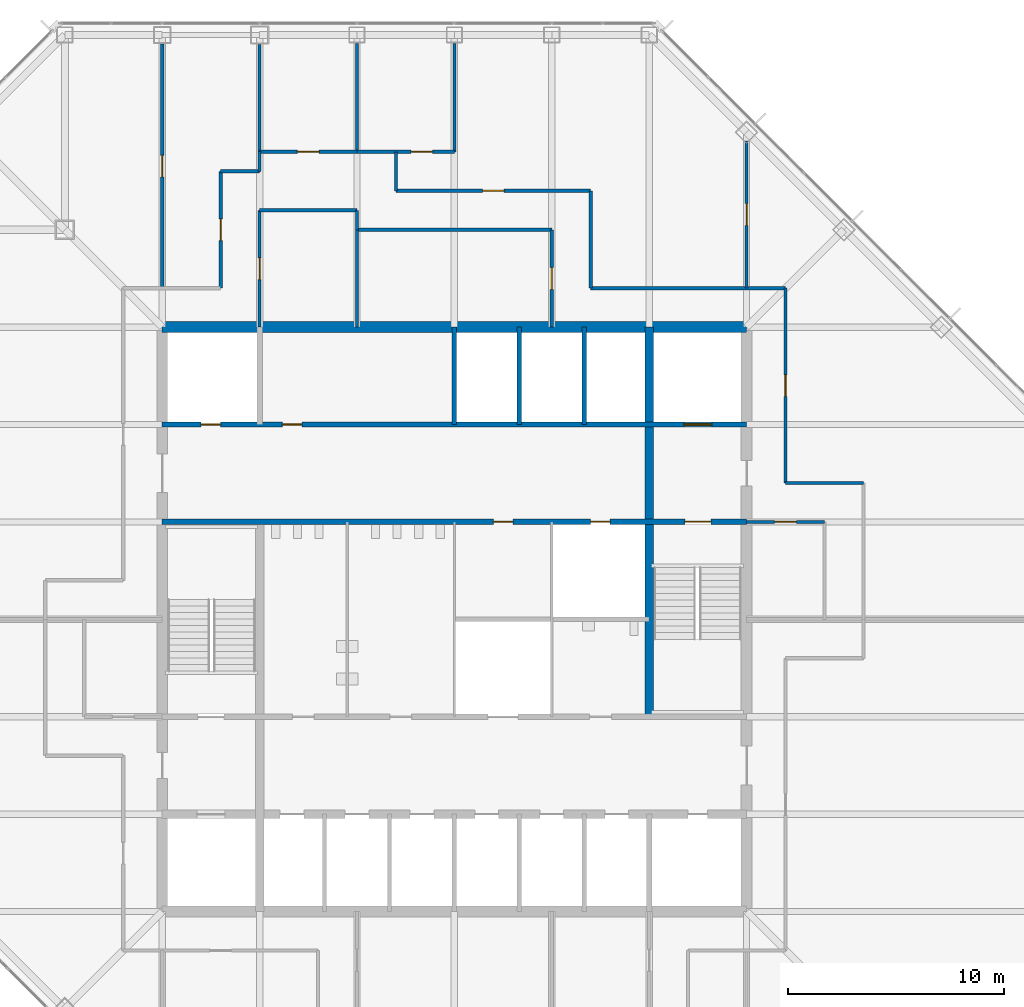
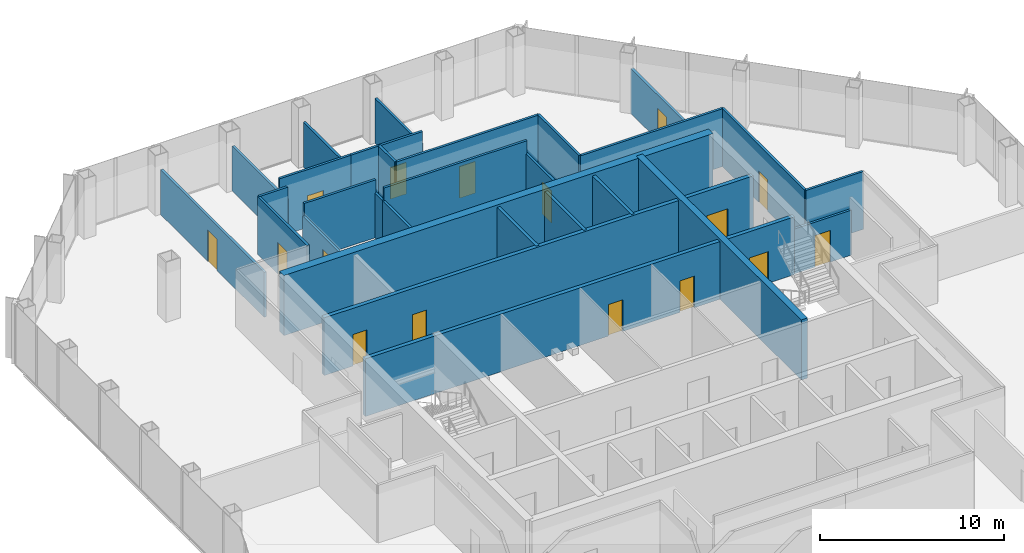
# One storey, part 10 of 13: 30 walls, 16 doors, 16 openings.
"""IFC4 building model written with IfcOpenShell, lengths in metres."""

import ifcopenshell
import ifcopenshell.guid

model = None  # the IFC model being written
_history = None  # IfcOwnerHistory: only IFC2X3 demands one
_inside = {}  # id of a spatial element -> (the spatial element, [elements in it])
_under = {}  # id of a project, library or spatial element -> (it, [spatial elements below it])
_declared = {}  # id of a project -> (the project, [libraries it declares])
_typed = {}  # id of a type object -> (the type object, [elements of that type])
_made_of = {}  # id of a material, layer set ... -> (it, [elements and type objects made of it])


def new_model(schema):
    """Start an empty IFC model of exactly this schema.

    Asked for "IFC4X3", IfcOpenShell would pick the latest addendum, in which some entities
    have other attributes; the version numbers below select the first issue.
    IFC2X3 requires an IfcOwnerHistory on every rooted entity: one is made here for all.
    """
    global model, _history
    if schema == "IFC4X3":
        model = ifcopenshell.file(schema_version=(4, 3, 0, 0))
    else:
        model = ifcopenshell.file(schema=schema)
    _inside.clear()
    _under.clear()
    _declared.clear()
    _typed.clear()
    _made_of.clear()
    _history = None
    if model.schema == "IFC2X3":
        org = make("IfcOrganization", Name="unknown")
        user = make(
            "IfcPersonAndOrganization",
            ThePerson=make("IfcPerson", FamilyName="unknown"),
            TheOrganization=org,
        )
        app = make(
            "IfcApplication",
            ApplicationDeveloper=org,
            Version="unknown",
            ApplicationFullName="unknown",
            ApplicationIdentifier="unknown",
        )
        _history = make(
            "IfcOwnerHistory",
            OwningUser=user,
            OwningApplication=app,
            ChangeAction="ADDED",
            CreationDate=0,
        )
    return model


def make(cls, **values):
    """One entity of the class cls with the attributes given. An attribute that is None is left unset."""
    return model.create_entity(
        cls, **{name: value for name, value in values.items() if value is not None}
    )


def rooted(cls, **values):
    """An entity with a GlobalId (a new one), such as an element, a storey or a relation."""
    return make(cls, GlobalId=ifcopenshell.guid.new(), OwnerHistory=_history, **values)


def si_unit(unit_type, name, prefix=None):
    """IfcSIUnit, for example si_unit("LENGTHUNIT", "METRE", prefix="MILLI")."""
    return make("IfcSIUnit", UnitType=unit_type, Prefix=prefix, Name=name)


def assignment(units):
    """IfcUnitAssignment: the units of a project."""
    return None if units is None else make("IfcUnitAssignment", Units=units)


def point(xyz):
    """IfcCartesianPoint."""
    return None if xyz is None else make("IfcCartesianPoint", Coordinates=xyz)


def direction(xyz):
    """IfcDirection."""
    return None if xyz is None else make("IfcDirection", DirectionRatios=xyz)


def frame(location, z_axis=None, x_axis=None):
    """IfcAxis2Placement3D, a coordinate frame: its origin and axes. An axis left out is left unset."""
    return make(
        "IfcAxis2Placement3D",
        Location=point(location),
        Axis=direction(z_axis),
        RefDirection=direction(x_axis),
    )


def frame_2d(location, x_axis=None):
    """IfcAxis2Placement2D, a coordinate frame in the plane: its origin and x axis."""
    return make(
        "IfcAxis2Placement2D", Location=point(location), RefDirection=direction(x_axis)
    )


def origin():
    """The frame at (0, 0, 0) with its axes left unset."""
    return frame((0.0, 0.0, 0.0))


def place(relative_to, where):
    """IfcLocalPlacement: puts the frame where relative to a parent placement (None: the world)."""
    return make(
        "IfcLocalPlacement", PlacementRelTo=relative_to, RelativePlacement=where
    )


def context(
    kind, dimensions, precision=None, world=None, true_north=None, identifier=None
):
    """IfcGeometricRepresentationContext, for example the 3D "Model" context."""
    return make(
        "IfcGeometricRepresentationContext",
        ContextIdentifier=identifier,
        ContextType=kind,
        CoordinateSpaceDimension=dimensions,
        Precision=precision,
        WorldCoordinateSystem=world,
        TrueNorth=true_north,
    )


def subcontext(parent, identifier, kind, view, scale=None):
    """IfcGeometricRepresentationSubContext, for example "Body" below "Model"."""
    return make(
        "IfcGeometricRepresentationSubContext",
        ContextIdentifier=identifier,
        ContextType=kind,
        ParentContext=parent,
        TargetScale=scale,
        TargetView=view,
    )


def project(units=None, contexts=None):
    """IfcProject with its units and contexts."""
    return rooted(
        "IfcProject",
        Name="project",
        RepresentationContexts=contexts,
        UnitsInContext=assignment(units),
    )


def spatial(cls, under=None, at=None, **own):
    """A site, building, storey or space (cls), placed at a placement, below another one or the project."""
    s = rooted(cls, ObjectPlacement=at, **own)
    if under is not None:
        _under.setdefault(under.id(), (under, []))[1].append(s)
    return s


def profile(cls, at=None, kind="AREA", **sizes):
    """A parametric profile (cls). Its sizes go by their IFC names, for example OverallWidth=200.0."""
    return make(cls, ProfileType=kind, Position=at, **sizes)


def rectangle(**sizes):
    """IfcRectangleProfileDef."""
    return profile("IfcRectangleProfileDef", **sizes)


def extrude(swept, where, along, depth):
    """IfcExtrudedAreaSolid: the profile swept, set in the frame where, extruded along a direction by depth."""
    return make(
        "IfcExtrudedAreaSolid",
        SweptArea=swept,
        Position=where,
        ExtrudedDirection=direction(along),
        Depth=depth,
    )


def shape(context_of_items, identifier, shape_type, items):
    """IfcShapeRepresentation: the items that make up one representation, for example the "Body"."""
    return make(
        "IfcShapeRepresentation",
        ContextOfItems=context_of_items,
        RepresentationIdentifier=identifier,
        RepresentationType=shape_type,
        Items=items,
    )


def material(Name=None, Category=None):
    """IfcMaterial."""
    return make("IfcMaterial", Name=Name, Category=Category)


def layer(
    of_material, thickness, ventilated=None, Name=None, Category=None, Priority=None
):
    """IfcMaterialLayer: one layer of a wall or slab, of a material (None: an air gap)."""
    return make(
        "IfcMaterialLayer",
        Material=of_material,
        LayerThickness=thickness,
        IsVentilated=ventilated,
        Name=Name,
        Category=Category,
        Priority=Priority,
    )


def layer_set(layers, Name=None):
    """IfcMaterialLayerSet."""
    return make("IfcMaterialLayerSet", MaterialLayers=layers, LayerSetName=Name)


def made_of(thing, what):
    """Note that an element or type object is made of a material, layer set ...; save() writes the relation."""
    if what is not None:
        _made_of.setdefault(what.id(), (what, []))[1].append(thing)
    return thing


def type_object(cls, material=None, **own):
    """A type object (cls), such as IfcWallType, which elements share."""
    return made_of(rooted(cls, **own), material)


def element(
    cls,
    number,
    at=None,
    inside=None,
    cuts=None,
    type_object=None,
    material=None,
    context=None,
    identifier="Body",
    shape_type=None,
    held_by="IfcProductDefinitionShape",
    body=None,
    shapes=None,
    **own,
):
    """One element of the class cls, such as IfcWall. Its Tag is "e" and its number.

    at: its placement. inside: the storey or other place that contains it. cuts: it is an
    opening in that element (IfcRelVoidsElement). A single representation is given by context,
    identifier, shape_type and body (its items); several are given by shapes. held_by: the class
    of the entity that holds the representations. save() writes the other relations.
    """
    e = rooted(cls, Tag="e%d" % number, ObjectPlacement=at, **own)
    if body is not None:
        shapes = [shape(context, identifier, shape_type, body)]
    if shapes is not None:
        e.Representation = make(held_by, Representations=shapes)
    if inside is not None:
        _inside.setdefault(inside.id(), (inside, []))[1].append(e)
    if cuts is not None:
        rooted(
            "IfcRelVoidsElement", RelatingBuildingElement=cuts, RelatedOpeningElement=e
        )
    if type_object is not None:
        _typed.setdefault(type_object.id(), (type_object, []))[1].append(e)
    return made_of(e, material)


def fill(opening, filler):
    """IfcRelFillsElement: the door or window that sits in an opening."""
    return rooted(
        "IfcRelFillsElement",
        RelatingOpeningElement=opening,
        RelatedBuildingElement=filler,
    )


def aggregate(whole, parts):
    """IfcRelAggregates: a whole, such as a stair, and the parts it consists of."""
    return rooted("IfcRelAggregates", RelatingObject=whole, RelatedObjects=parts)


def save(model, path):
    """Write the relations noted so far, then the file.

    IfcRelAggregates (storeys below a building ...), IfcRelContainedInSpatialStructure (elements
    in a storey), IfcRelDefinesByType, IfcRelAssociatesMaterial and IfcRelDeclares: one each for
    every whole, place, type object, material and project.
    """
    for whole, parts in _under.values():
        aggregate(whole, parts)
    for where, things in _inside.values():
        rooted(
            "IfcRelContainedInSpatialStructure",
            RelatedElements=things,
            RelatingStructure=where,
        )
    for kind, things in _typed.values():
        rooted("IfcRelDefinesByType", RelatedObjects=things, RelatingType=kind)
    for what, things in _made_of.values():
        rooted("IfcRelAssociatesMaterial", RelatedObjects=things, RelatingMaterial=what)
    for by, libraries in _declared.values():
        rooted("IfcRelDeclares", RelatingContext=by, RelatedDefinitions=libraries)
    model.write(path)


model = new_model("IFC4")

# Units and contexts
model_context = context("Model", 3, precision=1e-05, world=origin(), true_north=direction((0.0, 1.0)))
body_context = subcontext(model_context, "Body", "Model", "MODEL_VIEW")
ifc_project = project(units=[si_unit("LENGTHUNIT", "METRE"), si_unit("AREAUNIT", "SQUARE_METRE"), si_unit("VOLUMEUNIT", "CUBIC_METRE"), si_unit("PLANEANGLEUNIT", "RADIAN"), si_unit("MASSUNIT", "GRAM", prefix="KILO")], contexts=[model_context])

# Site, building, storey
site_placement = place(None, origin())
site = spatial("IfcSite", under=ifc_project, at=site_placement, CompositionType="ELEMENT")
building_placement = place(site_placement, origin())
building = spatial("IfcBuilding", under=site, at=building_placement, Name="Corais Broadcast Tower", CompositionType="ELEMENT")
storey_placement = place(building_placement, frame((0.0, 0.0, 123.60009765625)))
storey = spatial("IfcBuildingStorey", under=building, at=storey_placement, Name="L27", CompositionType="ELEMENT", Elevation=123.60009765625)

# Wall, openings, doors
ifc_material_1 = material(Name="Concrete blockwork class A, grouted, two-hour", Category="masonry")
ifc_layer_1 = layer(ifc_material_1, 0.25)
ifc_layer_set_1 = layer_set([ifc_layer_1], Name="Concrete blockwork class A, grouted, two-hour")
wall_type_1 = type_object("IfcWallType", Name="Core lobby wall 250", PredefinedType="SOLIDWALL", material=ifc_layer_set_1)
wall_1_placement = place(storey_placement, frame((13.5, 31.5, 0.0), z_axis=(0.0, 0.0, 1.0), x_axis=(1.0, 0.0, 0.0)))
wall_1 = element("IfcWall", 1, at=wall_1_placement, inside=storey, type_object=wall_type_1, Name="CL2 core lobby wall Y315 L27", PredefinedType="SOLIDWALL", context=body_context, shape_type="SweptSolid", body=[
    extrude(rectangle(XDim=27.0, YDim=0.25, at=frame_2d((13.5, 0.0))), origin(), (0.0, 0.0, 1.0), 3.83984375),
])
opening_1_placement = place(wall_1_placement, frame((24.14990234375, 0.0, 0.0)))
opening_1 = element("IfcOpeningElement", 2, at=opening_1_placement, cuts=wall_1, Name="Opening FD1", PredefinedType="OPENING", context=body_context, shape_type="SweptSolid", body=[
    extrude(rectangle(XDim=1.199951171875, YDim=2.10009765625, at=frame_2d((0.60009765625, 1.050048828125))), frame((0.0, 0.135009765625, 0.0), z_axis=(0.0, -1.0, 0.0), x_axis=(1.0, 0.0, 0.0)), (0.0, 0.0, 1.0), 0.27001953125),
])
opening_2_placement = place(wall_1_placement, frame((15.300048828125, 0.0, 0.0)))
opening_2 = element("IfcOpeningElement", 3, at=opening_2_placement, cuts=wall_1, Name="Opening RD1", PredefinedType="OPENING", context=body_context, shape_type="SweptSolid", body=[
    extrude(rectangle(XDim=0.89990234375, YDim=2.10009765625, at=frame_2d((0.449951171875, 1.050048828125))), frame((0.0, 0.135009765625, 0.0), z_axis=(0.0, -1.0, 0.0), x_axis=(1.0, 0.0, 0.0)), (0.0, 0.0, 1.0), 0.27001953125),
])
opening_3_placement = place(wall_1_placement, frame((19.800048828125, 0.0, 0.0)))
opening_3 = element("IfcOpeningElement", 4, at=opening_3_placement, cuts=wall_1, Name="Opening RD1", PredefinedType="OPENING", context=body_context, shape_type="SweptSolid", body=[
    extrude(rectangle(XDim=0.89990234375, YDim=2.10009765625, at=frame_2d((0.449951171875, 1.050048828125))), frame((0.0, 0.135009765625, 0.0), z_axis=(0.0, -1.0, 0.0), x_axis=(1.0, 0.0, 0.0)), (0.0, 0.0, 1.0), 0.27001953125),
])
ifc_material_2 = material(Name="Steel fire door", Category="steel")
door_type_1 = type_object("IfcDoorType", Name="Fire door 1200x2100", OperationType="SINGLE_SWING_LEFT", PredefinedType="DOOR", material=ifc_material_2)
door_1_placement = place(opening_1_placement, origin())
door_1 = element("IfcDoor", 5, at=door_1_placement, inside=storey, type_object=door_type_1, Name="FD1 stair B door L27", OperationType="SINGLE_SWING_RIGHT", OverallHeight=2.10009765625, OverallWidth=1.199951171875, PredefinedType="DOOR", context=body_context, shape_type="SweptSolid", body=[
    extrude(rectangle(XDim=1.199951171875, YDim=2.10009765625, at=frame_2d((0.60009765625, 1.050048828125))), frame((0.0, 0.02490234375, 0.0), z_axis=(0.0, -1.0, 0.0), x_axis=(1.0, 0.0, 0.0)), (0.0, 0.0, 1.0), 0.050048828125),
])
fill(opening_1, door_1)
ifc_material_3 = material(Name="Steel fire door", Category="steel")
door_type_2 = type_object("IfcDoorType", Name="Riser door 900x2100", OperationType="SINGLE_SWING_LEFT", PredefinedType="DOOR", material=ifc_material_3)
door_2_placement = place(opening_2_placement, origin())
door_2 = element("IfcDoor", 6, at=door_2_placement, inside=storey, type_object=door_type_2, Name="RD1 print room door L27", OperationType="SINGLE_SWING_RIGHT", OverallHeight=2.10009765625, OverallWidth=0.89990234375, PredefinedType="DOOR", context=body_context, shape_type="SweptSolid", body=[
    extrude(rectangle(XDim=0.89990234375, YDim=2.10009765625, at=frame_2d((0.449951171875, 1.050048828125))), frame((0.0, 0.02490234375, 0.0), z_axis=(0.0, -1.0, 0.0), x_axis=(1.0, 0.0, 0.0)), (0.0, 0.0, 1.0), 0.050048828125),
])
fill(opening_2, door_2)
door_3_placement = place(opening_3_placement, origin())
door_3 = element("IfcDoor", 7, at=door_3_placement, inside=storey, type_object=door_type_2, Name="RD1 riser door L27", OperationType="SINGLE_SWING_RIGHT", OverallHeight=2.10009765625, OverallWidth=0.89990234375, PredefinedType="DOOR", context=body_context, shape_type="SweptSolid", body=[
    extrude(rectangle(XDim=0.89990234375, YDim=2.10009765625, at=frame_2d((0.449951171875, 1.050048828125))), frame((0.0, 0.02490234375, 0.0), z_axis=(0.0, -1.0, 0.0), x_axis=(1.0, 0.0, 0.0)), (0.0, 0.0, 1.0), 0.050048828125),
])
fill(opening_3, door_3)

# Walls
ifc_material_4 = material(Name="Concrete C50/60", Category="concrete")
ifc_layer_2 = layer(ifc_material_4, 0.39990234375)
ifc_layer_set_2 = layer_set([ifc_layer_2], Name="Concrete C50/60")
wall_type_2 = type_object("IfcWallType", Name="Core wall 400", PredefinedType="SHEAR", material=ifc_layer_set_2)
wall_2_placement = place(storey_placement, frame((36.0, 22.5, 0.0), z_axis=(0.0, 0.0, 1.0), x_axis=(0.0, 1.0, 0.0)))
element("IfcWall", 8, at=wall_2_placement, inside=storey, type_object=wall_type_2, Name="CR400 core wall X36B L27", PredefinedType="SHEAR", context=body_context, shape_type="SweptSolid", body=[
    extrude(rectangle(XDim=18.0, YDim=0.39990234375, at=frame_2d((9.0, 0.0))), origin(), (0.0, 0.0, 1.0), 4.0),
])
ifc_material_5 = material(Name="Concrete C50/60", Category="concrete")
ifc_layer_3 = layer(ifc_material_5, 0.5)
ifc_layer_set_3 = layer_set([ifc_layer_3], Name="Concrete C50/60")
wall_type_3 = type_object("IfcWallType", Name="Core wall 500", PredefinedType="SHEAR", material=ifc_layer_set_3)
wall_3_placement = place(storey_placement, frame((40.5, 40.5, 0.0), z_axis=(0.0, 0.0, 1.0), x_axis=(-1.0, 0.0, 0.0)))
element("IfcWall", 9, at=wall_3_placement, inside=storey, type_object=wall_type_3, Name="CR500 core wall N L27", PredefinedType="SHEAR", context=body_context, shape_type="SweptSolid", body=[
    extrude(rectangle(XDim=27.0, YDim=0.5, at=frame_2d((13.5, 0.0))), origin(), (0.0, 0.0, 1.0), 4.0),
])

# Wall, openings, doors
ifc_material_6 = material(Name="Concrete blockwork class A, grouted, four-hour", Category="masonry")
ifc_layer_4 = layer(ifc_material_6, 0.25)
ifc_layer_set_4 = layer_set([ifc_layer_4], Name="Concrete blockwork class A, grouted, four-hour")
wall_type_4 = type_object("IfcWallType", Name="Emergency lift shaft wall 250", PredefinedType="SOLIDWALL", material=ifc_layer_set_4)
wall_4_placement = place(storey_placement, frame((13.5, 36.0, 0.0), z_axis=(0.0, 0.0, 1.0), x_axis=(1.0, 0.0, 0.0)))
wall_4 = element("IfcWall", 10, at=wall_4_placement, inside=storey, type_object=wall_type_4, Name="LS2 core lobby wall Y36 L27", PredefinedType="SOLIDWALL", context=body_context, shape_type="SweptSolid", body=[
    extrude(rectangle(XDim=27.0, YDim=0.25, at=frame_2d((13.5, 0.0))), origin(), (0.0, 0.0, 1.0), 3.83984375),
])
opening_4_placement = place(wall_4_placement, frame((1.800048828125, 0.0, 0.0)))
opening_4 = element("IfcOpeningElement", 11, at=opening_4_placement, cuts=wall_4, Name="Opening RD1", PredefinedType="OPENING", context=body_context, shape_type="SweptSolid", body=[
    extrude(rectangle(XDim=0.89990234375, YDim=2.10009765625, at=frame_2d((0.449951171875, 1.050048828125))), frame((0.0, 0.135009765625, 0.0), z_axis=(0.0, -1.0, 0.0), x_axis=(1.0, 0.0, 0.0)), (0.0, 0.0, 1.0), 0.27001953125),
])
opening_5_placement = place(wall_4_placement, frame((5.550048828125, 0.0, 0.0)))
opening_5 = element("IfcOpeningElement", 12, at=opening_5_placement, cuts=wall_4, Name="Opening RD1", PredefinedType="OPENING", context=body_context, shape_type="SweptSolid", body=[
    extrude(rectangle(XDim=0.89990234375, YDim=2.10009765625, at=frame_2d((0.449951171875, 1.050048828125))), frame((0.0, 0.135009765625, 0.0), z_axis=(0.0, -1.0, 0.0), x_axis=(1.0, 0.0, 0.0)), (0.0, 0.0, 1.0), 0.27001953125),
])
opening_6_placement = place(wall_4_placement, frame((24.10009765625, 0.0, 0.0)))
opening_6 = element("IfcOpeningElement", 13, at=opening_6_placement, cuts=wall_4, Name="Opening LD2", PredefinedType="OPENING", context=body_context, shape_type="SweptSolid", body=[
    extrude(rectangle(XDim=1.300048828125, YDim=2.199951171875, at=frame_2d((0.64990234375, 1.10009765625))), frame((0.0, 0.135009765625, 0.0), z_axis=(0.0, -1.0, 0.0), x_axis=(1.0, 0.0, 0.0)), (0.0, 0.0, 1.0), 0.27001953125),
])
ifc_material_7 = material(Name="Stainless steel lift door", Category="steel")
door_type_3 = type_object("IfcDoorType", Name="Lift landing door 1300x2200", OperationType="SLIDING_TO_LEFT", PredefinedType="DOOR", material=ifc_material_7)
door_4_placement = place(opening_6_placement, origin())
door_4 = element("IfcDoor", 14, at=door_4_placement, inside=storey, type_object=door_type_3, Name="LD2 FL2 landing door L27", OperationType="SLIDING_TO_LEFT", OverallHeight=2.199951171875, OverallWidth=1.300048828125, PredefinedType="DOOR", context=body_context, shape_type="SweptSolid", body=[
    extrude(rectangle(XDim=1.300048828125, YDim=2.199951171875, at=frame_2d((0.64990234375, 1.10009765625))), frame((0.0, 0.02490234375, 0.0), z_axis=(0.0, -1.0, 0.0), x_axis=(1.0, 0.0, 0.0)), (0.0, 0.0, 1.0), 0.050048828125),
])
fill(opening_6, door_4)
door_5_placement = place(opening_4_placement, origin())
door_5 = element("IfcDoor", 15, at=door_5_placement, inside=storey, type_object=door_type_2, Name="RD1 riser door L27", OperationType="SINGLE_SWING_LEFT", OverallHeight=2.10009765625, OverallWidth=0.89990234375, PredefinedType="DOOR", context=body_context, shape_type="SweptSolid", body=[
    extrude(rectangle(XDim=0.89990234375, YDim=2.10009765625, at=frame_2d((0.449951171875, 1.050048828125))), frame((0.0, 0.02490234375, 0.0), z_axis=(0.0, -1.0, 0.0), x_axis=(1.0, 0.0, 0.0)), (0.0, 0.0, 1.0), 0.050048828125),
])
fill(opening_4, door_5)
door_6_placement = place(opening_5_placement, origin())
door_6 = element("IfcDoor", 16, at=door_6_placement, inside=storey, type_object=door_type_2, Name="RD1 media store door L27", OperationType="SINGLE_SWING_LEFT", OverallHeight=2.10009765625, OverallWidth=0.89990234375, PredefinedType="DOOR", context=body_context, shape_type="SweptSolid", body=[
    extrude(rectangle(XDim=0.89990234375, YDim=2.10009765625, at=frame_2d((0.449951171875, 1.050048828125))), frame((0.0, 0.02490234375, 0.0), z_axis=(0.0, -1.0, 0.0), x_axis=(1.0, 0.0, 0.0)), (0.0, 0.0, 1.0), 0.050048828125),
])
fill(opening_5, door_6)

# Wall, opening, door
ifc_material_8 = material(Name="Gypsum board on steel studs", Category="steel")
ifc_layer_5 = layer(ifc_material_8, 0.14990234375)
ifc_layer_set_5 = layer_set([ifc_layer_5], Name="Gypsum board on steel studs")
wall_type_5 = type_object("IfcWallType", Name="Partition 150", PredefinedType="PARTITIONING", material=ifc_layer_set_5)
wall_5_placement = place(storey_placement, frame((16.199951171875, 47.699951171875, 0.0), z_axis=(0.0, 0.0, 1.0), x_axis=(0.0, -1.0, 0.0)))
wall_5 = element("IfcWall", 17, at=wall_5_placement, inside=storey, type_object=wall_type_5, Name="IW3 corridor wall L27", PredefinedType="PARTITIONING", context=body_context, shape_type="SweptSolid", body=[
    extrude(rectangle(XDim=5.39990234375, YDim=0.14990234375, at=frame_2d((2.699951171875, 0.0))), origin(), (0.0, 0.0, 1.0), 3.83984375),
])
opening_7_placement = place(wall_5_placement, frame((2.199951171875, 0.0, 0.0)))
opening_7 = element("IfcOpeningElement", 18, at=opening_7_placement, cuts=wall_5, Name="Opening D1", PredefinedType="OPENING", context=body_context, shape_type="SweptSolid", body=[
    extrude(rectangle(XDim=1.0, YDim=2.10009765625, at=frame_2d((0.5, 1.050048828125))), frame((0.0, 0.0849609375, 0.0), z_axis=(0.0, -1.0, 0.0), x_axis=(1.0, 0.0, 0.0)), (0.0, 0.0, 1.0), 0.169921875),
])
ifc_material_9 = material(Name="Timber door", Category="wood")
door_type_4 = type_object("IfcDoorType", Name="Single door 1000x2100", OperationType="SINGLE_SWING_LEFT", PredefinedType="DOOR", material=ifc_material_9)
door_7_placement = place(opening_7_placement, origin())
door_7 = element("IfcDoor", 19, at=door_7_placement, inside=storey, type_object=door_type_4, Name="D1 workplace door L27", OperationType="SINGLE_SWING_LEFT", OverallHeight=2.10009765625, OverallWidth=1.0, PredefinedType="DOOR", context=body_context, shape_type="SweptSolid", body=[
    extrude(rectangle(XDim=1.0, YDim=2.10009765625, at=frame_2d((0.5, 1.050048828125))), frame((0.0, 0.02490234375, 0.0), z_axis=(0.0, -1.0, 0.0), x_axis=(1.0, 0.0, 0.0)), (0.0, 0.0, 1.0), 0.050048828125),
])
fill(opening_7, door_7)

# Walls
wall_6_placement = place(storey_placement, frame((18.0, 47.699951171875, 0.0), z_axis=(0.0, 0.0, 1.0), x_axis=(-1.0, 0.0, 0.0)))
element("IfcWall", 20, at=wall_6_placement, inside=storey, type_object=wall_type_5, Name="IW3 corridor wall L27", PredefinedType="PARTITIONING", context=body_context, shape_type="SweptSolid", body=[
    extrude(rectangle(XDim=1.800048828125, YDim=0.14990234375, at=frame_2d((0.89990234375, 0.0))), origin(), (0.0, 0.0, 1.0), 3.83984375),
])
wall_7_placement = place(storey_placement, frame((18.0, 48.610107421875, 0.0), z_axis=(0.0, 0.0, 1.0), x_axis=(0.0, -1.0, 0.0)))
element("IfcWall", 21, at=wall_7_placement, inside=storey, type_object=wall_type_5, Name="IW3 corridor wall L27", PredefinedType="PARTITIONING", context=body_context, shape_type="SweptSolid", body=[
    extrude(rectangle(XDim=0.91015625, YDim=0.14990234375, at=frame_2d((0.455078125, 0.0))), origin(), (0.0, 0.0, 1.0), 2.989013671875),
])

# Wall, opening, door
wall_8_placement = place(storey_placement, frame((33.300048828125, 46.800048828125, 0.0), z_axis=(0.0, 0.0, 1.0), x_axis=(-1.0, 0.0, 0.0)))
wall_8 = element("IfcWall", 22, at=wall_8_placement, inside=storey, type_object=wall_type_5, Name="IW3 corridor wall L27", PredefinedType="PARTITIONING", context=body_context, shape_type="SweptSolid", body=[
    extrude(rectangle(XDim=9.0, YDim=0.14990234375, at=frame_2d((4.5, 0.0))), origin(), (0.0, 0.0, 1.0), 3.83984375),
])
opening_8_placement = place(wall_8_placement, frame((4.0, 0.0, 0.0)))
opening_8 = element("IfcOpeningElement", 23, at=opening_8_placement, cuts=wall_8, Name="Opening D1", PredefinedType="OPENING", context=body_context, shape_type="SweptSolid", body=[
    extrude(rectangle(XDim=1.0, YDim=2.10009765625, at=frame_2d((0.5, 1.050048828125))), frame((0.0, 0.0849609375, 0.0), z_axis=(0.0, -1.0, 0.0), x_axis=(1.0, 0.0, 0.0)), (0.0, 0.0, 1.0), 0.169921875),
])
door_8_placement = place(opening_8_placement, origin())
door_8 = element("IfcDoor", 24, at=door_8_placement, inside=storey, type_object=door_type_4, Name="D1 workplace door L27", OperationType="SINGLE_SWING_LEFT", OverallHeight=2.10009765625, OverallWidth=1.0, PredefinedType="DOOR", context=body_context, shape_type="SweptSolid", body=[
    extrude(rectangle(XDim=1.0, YDim=2.10009765625, at=frame_2d((0.5, 1.050048828125))), frame((0.0, 0.02490234375, 0.0), z_axis=(0.0, -1.0, 0.0), x_axis=(1.0, 0.0, 0.0)), (0.0, 0.0, 1.0), 0.050048828125),
])
fill(opening_8, door_8)

wall_9_placement = place(storey_placement, frame((42.300048828125, 33.300048828125, 0.0), z_axis=(0.0, 0.0, 1.0), x_axis=(0.0, 1.0, 0.0)))
wall_9 = element("IfcWall", 25, at=wall_9_placement, inside=storey, type_object=wall_type_5, Name="IW3 corridor wall L27", PredefinedType="PARTITIONING", context=body_context, shape_type="SweptSolid", body=[
    extrude(rectangle(XDim=9.0, YDim=0.14990234375, at=frame_2d((4.5, 0.0))), origin(), (0.0, 0.0, 1.0), 3.83984375),
])
opening_9_placement = place(wall_9_placement, frame((4.0, 0.0, 0.0)))
opening_9 = element("IfcOpeningElement", 26, at=opening_9_placement, cuts=wall_9, Name="Opening D1", PredefinedType="OPENING", context=body_context, shape_type="SweptSolid", body=[
    extrude(rectangle(XDim=1.0, YDim=2.10009765625, at=frame_2d((0.5, 1.050048828125))), frame((0.0, 0.0849609375, 0.0), z_axis=(0.0, -1.0, 0.0), x_axis=(1.0, 0.0, 0.0)), (0.0, 0.0, 1.0), 0.169921875),
])
door_9_placement = place(opening_9_placement, origin())
door_9 = element("IfcDoor", 27, at=door_9_placement, inside=storey, type_object=door_type_4, Name="D1 workplace door L27", OperationType="SINGLE_SWING_LEFT", OverallHeight=2.10009765625, OverallWidth=1.0, PredefinedType="DOOR", context=body_context, shape_type="SweptSolid", body=[
    extrude(rectangle(XDim=1.0, YDim=2.10009765625, at=frame_2d((0.5, 1.050048828125))), frame((0.0, 0.02490234375, 0.0), z_axis=(0.0, -1.0, 0.0), x_axis=(1.0, 0.0, 0.0)), (0.0, 0.0, 1.0), 0.050048828125),
])
fill(opening_9, door_9)

# Walls
wall_10_placement = place(storey_placement, frame((42.300048828125, 42.300048828125, 0.0), z_axis=(0.0, 0.0, 1.0), x_axis=(-1.0, 0.0, 0.0)))
element("IfcWall", 28, at=wall_10_placement, inside=storey, type_object=wall_type_5, Name="IW3 corridor wall L27", PredefinedType="PARTITIONING", context=body_context, shape_type="SweptSolid", body=[
    extrude(rectangle(XDim=9.0, YDim=0.14990234375, at=frame_2d((4.5, 0.0))), origin(), (0.0, 0.0, 1.0), 3.83984375),
])
wall_11_placement = place(storey_placement, frame((33.300048828125, 42.300048828125, 0.0), z_axis=(0.0, 0.0, 1.0), x_axis=(0.0, 1.0, 0.0)))
element("IfcWall", 29, at=wall_11_placement, inside=storey, type_object=wall_type_5, Name="IW3 corridor wall L27", PredefinedType="PARTITIONING", context=body_context, shape_type="SweptSolid", body=[
    extrude(rectangle(XDim=4.5, YDim=0.14990234375, at=frame_2d((2.25, 0.0))), origin(), (0.0, 0.0, 1.0), 3.83984375),
])
wall_12_placement = place(storey_placement, frame((45.89990234375, 33.300048828125, 0.0), z_axis=(0.0, 0.0, 1.0), x_axis=(-1.0, 0.0, 0.0)))
element("IfcWall", 30, at=wall_12_placement, inside=storey, type_object=wall_type_5, Name="IW3 corridor wall L27", PredefinedType="PARTITIONING", context=body_context, shape_type="SweptSolid", body=[
    extrude(rectangle(XDim=3.599853515625, YDim=0.14990234375, at=frame_2d((1.7998046875, 0.0))), origin(), (0.0, 0.0, 1.0), 3.83984375),
])
wall_13_placement = place(storey_placement, frame((24.300048828125, 46.800048828125, 0.0), z_axis=(0.0, 0.0, 1.0), x_axis=(0.0, 1.0, 0.0)))
element("IfcWall", 31, at=wall_13_placement, inside=storey, type_object=wall_type_5, Name="IW3 corridor wall L27", PredefinedType="PARTITIONING", context=body_context, shape_type="SweptSolid", body=[
    extrude(rectangle(XDim=1.800048828125, YDim=0.14990234375, at=frame_2d((0.89990234375, 0.0))), origin(), (0.0, 0.0, 1.0), 3.83984375),
])

# Wall, opening, door
wall_14_placement = place(storey_placement, frame((31.5, 40.5, 0.0), z_axis=(0.0, 0.0, 1.0), x_axis=(0.0, 1.0, 0.0)))
wall_14 = element("IfcWall", 32, at=wall_14_placement, inside=storey, type_object=wall_type_5, Name="IW3 partition L27", PredefinedType="PARTITIONING", context=body_context, shape_type="SweptSolid", body=[
    extrude(rectangle(XDim=4.5, YDim=0.14990234375, at=frame_2d((2.25, 0.0))), origin(), (0.0, 0.0, 1.0), 2.989013671875),
])
opening_10_placement = place(wall_14_placement, frame((1.75, 0.0, 0.0)))
opening_10 = element("IfcOpeningElement", 33, at=opening_10_placement, cuts=wall_14, Name="Opening D1", PredefinedType="OPENING", context=body_context, shape_type="SweptSolid", body=[
    extrude(rectangle(XDim=1.0, YDim=2.10009765625, at=frame_2d((0.5, 1.050048828125))), frame((0.0, 0.0849609375, 0.0), z_axis=(0.0, -1.0, 0.0), x_axis=(1.0, 0.0, 0.0)), (0.0, 0.0, 1.0), 0.169921875),
])
door_10_placement = place(opening_10_placement, origin())
door_10 = element("IfcDoor", 34, at=door_10_placement, inside=storey, type_object=door_type_4, Name="D1 Meeting room door", OperationType="SINGLE_SWING_LEFT", OverallHeight=2.10009765625, OverallWidth=1.0, PredefinedType="DOOR", context=body_context, shape_type="SweptSolid", body=[
    extrude(rectangle(XDim=1.0, YDim=2.10009765625, at=frame_2d((0.5, 1.050048828125))), frame((0.0, 0.02490234375, 0.0), z_axis=(0.0, -1.0, 0.0), x_axis=(1.0, 0.0, 0.0)), (0.0, 0.0, 1.0), 0.050048828125),
])
fill(opening_10, door_10)

# Walls
wall_15_placement = place(storey_placement, frame((31.5, 45.0, 0.0), z_axis=(0.0, 0.0, 1.0), x_axis=(-1.0, 0.0, 0.0)))
element("IfcWall", 35, at=wall_15_placement, inside=storey, type_object=wall_type_5, Name="IW3 partition L27", PredefinedType="PARTITIONING", context=body_context, shape_type="SweptSolid", body=[
    extrude(rectangle(XDim=9.0, YDim=0.14990234375, at=frame_2d((4.5, 0.0))), origin(), (0.0, 0.0, 1.0), 3.83984375),
])
wall_16_placement = place(storey_placement, frame((22.5, 45.0, 0.0), z_axis=(0.0, 0.0, 1.0), x_axis=(0.0, -1.0, 0.0)))
element("IfcWall", 36, at=wall_16_placement, inside=storey, type_object=wall_type_5, Name="IW3 partition L27", PredefinedType="PARTITIONING", context=body_context, shape_type="SweptSolid", body=[
    extrude(rectangle(XDim=4.5, YDim=0.14990234375, at=frame_2d((2.25, 0.0))), origin(), (0.0, 0.0, 1.0), 2.989013671875),
])

# Wall, opening, door
wall_17_placement = place(storey_placement, frame((18.0, 48.60009765625, 0.0), z_axis=(0.0, 0.0, 1.0), x_axis=(1.0, 0.0, 0.0)))
wall_17 = element("IfcWall", 37, at=wall_17_placement, inside=storey, type_object=wall_type_5, Name="IW3 partition L27", PredefinedType="PARTITIONING", context=body_context, shape_type="SweptSolid", body=[
    extrude(rectangle(XDim=4.5, YDim=0.14990234375, at=frame_2d((2.25, 0.0))), origin(), (0.0, 0.0, 1.0), 3.83984375),
])
opening_11_placement = place(wall_17_placement, frame((1.75, 0.0, 0.0)))
opening_11 = element("IfcOpeningElement", 38, at=opening_11_placement, cuts=wall_17, Name="Opening D1", PredefinedType="OPENING", context=body_context, shape_type="SweptSolid", body=[
    extrude(rectangle(XDim=1.0, YDim=2.10009765625, at=frame_2d((0.5, 1.050048828125))), frame((0.0, 0.0849609375, 0.0), z_axis=(0.0, -1.0, 0.0), x_axis=(1.0, 0.0, 0.0)), (0.0, 0.0, 1.0), 0.169921875),
])
door_11_placement = place(opening_11_placement, origin())
door_11 = element("IfcDoor", 39, at=door_11_placement, inside=storey, type_object=door_type_4, Name="D1 Office door", OperationType="SINGLE_SWING_LEFT", OverallHeight=2.10009765625, OverallWidth=1.0, PredefinedType="DOOR", context=body_context, shape_type="SweptSolid", body=[
    extrude(rectangle(XDim=1.0, YDim=2.10009765625, at=frame_2d((0.5, 1.050048828125))), frame((0.0, 0.02490234375, 0.0), z_axis=(0.0, -1.0, 0.0), x_axis=(1.0, 0.0, 0.0)), (0.0, 0.0, 1.0), 0.050048828125),
])
fill(opening_11, door_11)

# Walls
wall_18_placement = place(storey_placement, frame((22.5, 48.60009765625, 0.0), z_axis=(0.0, 0.0, 1.0), x_axis=(0.0, 1.0, 0.0)))
element("IfcWall", 40, at=wall_18_placement, inside=storey, type_object=wall_type_5, Name="IW3 partition L27", PredefinedType="PARTITIONING", context=body_context, shape_type="SweptSolid", body=[
    extrude(rectangle(XDim=5.014892578125, YDim=0.14990234375, at=frame_2d((2.50732421875, 0.0))), origin(), (0.0, 0.0, 1.0), 2.989013671875),
])
wall_19_placement = place(storey_placement, frame((18.0, 53.56494140625, 0.0), z_axis=(0.0, 0.0, 1.0), x_axis=(0.0, -1.0, 0.0)))
element("IfcWall", 41, at=wall_19_placement, inside=storey, type_object=wall_type_5, Name="IW3 partition L27", PredefinedType="PARTITIONING", context=body_context, shape_type="SweptSolid", body=[
    extrude(rectangle(XDim=4.96484375, YDim=0.14990234375, at=frame_2d((2.482421875, 0.0))), origin(), (0.0, 0.0, 1.0), 2.989013671875),
])

# Wall, opening, door
wall_20_placement = place(storey_placement, frame((22.5, 48.60009765625, 0.0), z_axis=(0.0, 0.0, 1.0), x_axis=(1.0, 0.0, 0.0)))
wall_20 = element("IfcWall", 42, at=wall_20_placement, inside=storey, type_object=wall_type_5, Name="IW3 partition L27", PredefinedType="PARTITIONING", context=body_context, shape_type="SweptSolid", body=[
    extrude(rectangle(XDim=4.5, YDim=0.14990234375, at=frame_2d((2.25, 0.0))), origin(), (0.0, 0.0, 1.0), 3.83984375),
])
opening_12_placement = place(wall_20_placement, frame((2.5, 0.0, 0.0)))
opening_12 = element("IfcOpeningElement", 43, at=opening_12_placement, cuts=wall_20, Name="Opening D1", PredefinedType="OPENING", context=body_context, shape_type="SweptSolid", body=[
    extrude(rectangle(XDim=1.0, YDim=2.10009765625, at=frame_2d((0.5, 1.050048828125))), frame((0.0, 0.0849609375, 0.0), z_axis=(0.0, -1.0, 0.0), x_axis=(1.0, 0.0, 0.0)), (0.0, 0.0, 1.0), 0.169921875),
])
door_12_placement = place(opening_12_placement, origin())
door_12 = element("IfcDoor", 44, at=door_12_placement, inside=storey, type_object=door_type_4, Name="D1 Office door", OperationType="SINGLE_SWING_RIGHT", OverallHeight=2.10009765625, OverallWidth=1.0, PredefinedType="DOOR", context=body_context, shape_type="SweptSolid", body=[
    extrude(rectangle(XDim=1.0, YDim=2.10009765625, at=frame_2d((0.5, 1.050048828125))), frame((0.0, 0.02490234375, 0.0), z_axis=(0.0, -1.0, 0.0), x_axis=(1.0, 0.0, 0.0)), (0.0, 0.0, 1.0), 0.050048828125),
])
fill(opening_12, door_12)

# Wall
wall_21_placement = place(storey_placement, frame((27.0, 48.60009765625, 0.0), z_axis=(0.0, 0.0, 1.0), x_axis=(0.0, 1.0, 0.0)))
element("IfcWall", 45, at=wall_21_placement, inside=storey, type_object=wall_type_5, Name="IW3 partition L27", PredefinedType="PARTITIONING", context=body_context, shape_type="SweptSolid", body=[
    extrude(rectangle(XDim=5.014892578125, YDim=0.14990234375, at=frame_2d((2.50732421875, 0.0))), origin(), (0.0, 0.0, 1.0), 2.989013671875),
])

# Wall, opening, door
wall_22_placement = place(storey_placement, frame((44.10009765625, 31.5, 0.0), z_axis=(0.0, 0.0, 1.0), x_axis=(-1.0, 0.0, 0.0)))
wall_22 = element("IfcWall", 46, at=wall_22_placement, inside=storey, type_object=wall_type_5, Name="IW3 partition L27", PredefinedType="PARTITIONING", context=body_context, shape_type="SweptSolid", body=[
    extrude(rectangle(XDim=3.60009765625, YDim=0.14990234375, at=frame_2d((1.800048828125, 0.0))), origin(), (0.0, 0.0, 1.0), 2.989013671875),
])
opening_13_placement = place(wall_22_placement, frame((1.300048828125, 0.0, 0.0)))
opening_13 = element("IfcOpeningElement", 47, at=opening_13_placement, cuts=wall_22, Name="Opening D1", PredefinedType="OPENING", context=body_context, shape_type="SweptSolid", body=[
    extrude(rectangle(XDim=1.0, YDim=2.10009765625, at=frame_2d((0.5, 1.050048828125))), frame((0.0, 0.0849609375, 0.0), z_axis=(0.0, -1.0, 0.0), x_axis=(1.0, 0.0, 0.0)), (0.0, 0.0, 1.0), 0.169921875),
])
door_13_placement = place(opening_13_placement, origin())
door_13 = element("IfcDoor", 48, at=door_13_placement, inside=storey, type_object=door_type_4, Name="D1 Pantry door", OperationType="SINGLE_SWING_LEFT", OverallHeight=2.10009765625, OverallWidth=1.0, PredefinedType="DOOR", context=body_context, shape_type="SweptSolid", body=[
    extrude(rectangle(XDim=1.0, YDim=2.10009765625, at=frame_2d((0.5, 1.050048828125))), frame((0.0, 0.02490234375, 0.0), z_axis=(0.0, -1.0, 0.0), x_axis=(1.0, 0.0, 0.0)), (0.0, 0.0, 1.0), 0.050048828125),
])
fill(opening_13, door_13)

# Walls
wall_23_placement = place(storey_placement, frame((22.5, 45.0, 0.0), z_axis=(0.0, 0.0, 1.0), x_axis=(0.0, 1.0, 0.0)))
element("IfcWall", 49, at=wall_23_placement, inside=storey, type_object=wall_type_5, Name="IW3 partition L27", PredefinedType="PARTITIONING", context=body_context, shape_type="SweptSolid", body=[
    extrude(rectangle(XDim=0.89990234375, YDim=0.14990234375, at=frame_2d((0.449951171875, 0.0))), origin(), (0.0, 0.0, 1.0), 2.989013671875),
])
wall_24_placement = place(storey_placement, frame((22.5, 45.89990234375, 0.0), z_axis=(0.0, 0.0, 1.0), x_axis=(-1.0, 0.0, 0.0)))
element("IfcWall", 50, at=wall_24_placement, inside=storey, type_object=wall_type_5, Name="IW3 partition L27", PredefinedType="PARTITIONING", context=body_context, shape_type="SweptSolid", body=[
    extrude(rectangle(XDim=4.5, YDim=0.14990234375, at=frame_2d((2.25, 0.0))), origin(), (0.0, 0.0, 1.0), 3.83984375),
])

# Wall, opening, door
wall_25_placement = place(storey_placement, frame((18.0, 45.89990234375, 0.0), z_axis=(0.0, 0.0, 1.0), x_axis=(0.0, -1.0, 0.0)))
wall_25 = element("IfcWall", 51, at=wall_25_placement, inside=storey, type_object=wall_type_5, Name="IW3 partition L27", PredefinedType="PARTITIONING", context=body_context, shape_type="SweptSolid", body=[
    extrude(rectangle(XDim=5.39990234375, YDim=0.14990234375, at=frame_2d((2.699951171875, 0.0))), origin(), (0.0, 0.0, 1.0), 2.989013671875),
])
opening_14_placement = place(wall_25_placement, frame((2.199951171875, 0.0, 0.0)))
opening_14 = element("IfcOpeningElement", 52, at=opening_14_placement, cuts=wall_25, Name="Opening D1", PredefinedType="OPENING", context=body_context, shape_type="SweptSolid", body=[
    extrude(rectangle(XDim=1.0, YDim=2.10009765625, at=frame_2d((0.5, 1.050048828125))), frame((0.0, 0.0849609375, 0.0), z_axis=(0.0, -1.0, 0.0), x_axis=(1.0, 0.0, 0.0)), (0.0, 0.0, 1.0), 0.169921875),
])
door_14_placement = place(opening_14_placement, origin())
door_14 = element("IfcDoor", 53, at=door_14_placement, inside=storey, type_object=door_type_4, Name="D1 Meeting room door", OperationType="SINGLE_SWING_LEFT", OverallHeight=2.10009765625, OverallWidth=1.0, PredefinedType="DOOR", context=body_context, shape_type="SweptSolid", body=[
    extrude(rectangle(XDim=1.0, YDim=2.10009765625, at=frame_2d((0.5, 1.050048828125))), frame((0.0, 0.02490234375, 0.0), z_axis=(0.0, -1.0, 0.0), x_axis=(1.0, 0.0, 0.0)), (0.0, 0.0, 1.0), 0.050048828125),
])
fill(opening_14, door_14)

wall_26_placement = place(storey_placement, frame((13.5, 42.300048828125, 0.0), z_axis=(0.0, 0.0, 1.0), x_axis=(0.0, 1.0, 0.0)))
wall_26 = element("IfcWall", 54, at=wall_26_placement, inside=storey, type_object=wall_type_5, Name="IW3 partition L27", PredefinedType="PARTITIONING", context=body_context, shape_type="SweptSolid", body=[
    extrude(rectangle(XDim=11.280029296875, YDim=0.14990234375, at=frame_2d((5.64013671875, 0.0))), origin(), (0.0, 0.0, 1.0), 2.989013671875),
])
opening_15_placement = place(wall_26_placement, frame((5.139892578125, 0.0, 0.0)))
opening_15 = element("IfcOpeningElement", 55, at=opening_15_placement, cuts=wall_26, Name="Opening D1", PredefinedType="OPENING", context=body_context, shape_type="SweptSolid", body=[
    extrude(rectangle(XDim=1.0, YDim=2.10009765625, at=frame_2d((0.5, 1.050048828125))), frame((0.0, 0.0849609375, 0.0), z_axis=(0.0, -1.0, 0.0), x_axis=(1.0, 0.0, 0.0)), (0.0, 0.0, 1.0), 0.169921875),
])
door_15_placement = place(opening_15_placement, origin())
door_15 = element("IfcDoor", 56, at=door_15_placement, inside=storey, type_object=door_type_4, Name="D1 team room door L27", OperationType="SINGLE_SWING_LEFT", OverallHeight=2.10009765625, OverallWidth=1.0, PredefinedType="DOOR", context=body_context, shape_type="SweptSolid", body=[
    extrude(rectangle(XDim=1.0, YDim=2.10009765625, at=frame_2d((0.5, 1.050048828125))), frame((0.0, 0.02490234375, 0.0), z_axis=(0.0, -1.0, 0.0), x_axis=(1.0, 0.0, 0.0)), (0.0, 0.0, 1.0), 0.050048828125),
])
fill(opening_15, door_15)

wall_27_placement = place(storey_placement, frame((40.5, 49.10498046875, 0.0), z_axis=(0.0, 0.0, 1.0), x_axis=(0.0, -1.0, 0.0)))
wall_27 = element("IfcWall", 57, at=wall_27_placement, inside=storey, type_object=wall_type_5, Name="IW3 partition L27", PredefinedType="PARTITIONING", context=body_context, shape_type="SweptSolid", body=[
    extrude(rectangle(XDim=6.804931640625, YDim=0.14990234375, at=frame_2d((3.40234375, 0.0))), origin(), (0.0, 0.0, 1.0), 2.989013671875),
])
opening_16_placement = place(wall_27_placement, frame((2.902587890625, 0.0, 0.0)))
opening_16 = element("IfcOpeningElement", 58, at=opening_16_placement, cuts=wall_27, Name="Opening D1", PredefinedType="OPENING", context=body_context, shape_type="SweptSolid", body=[
    extrude(rectangle(XDim=1.0, YDim=2.10009765625, at=frame_2d((0.5, 1.050048828125))), frame((0.0, 0.0849609375, 0.0), z_axis=(0.0, -1.0, 0.0), x_axis=(1.0, 0.0, 0.0)), (0.0, 0.0, 1.0), 0.169921875),
])
door_16_placement = place(opening_16_placement, origin())
door_16 = element("IfcDoor", 59, at=door_16_placement, inside=storey, type_object=door_type_4, Name="D1 team room door L27", OperationType="SINGLE_SWING_LEFT", OverallHeight=2.10009765625, OverallWidth=1.0, PredefinedType="DOOR", context=body_context, shape_type="SweptSolid", body=[
    extrude(rectangle(XDim=1.0, YDim=2.10009765625, at=frame_2d((0.5, 1.050048828125))), frame((0.0, 0.02490234375, 0.0), z_axis=(0.0, -1.0, 0.0), x_axis=(1.0, 0.0, 0.0)), (0.0, 0.0, 1.0), 0.050048828125),
])
fill(opening_16, door_16)

# Walls
ifc_material_10 = material(Name="Concrete blockwork class A, grouted, two-hour", Category="masonry")
ifc_layer_6 = layer(ifc_material_10, 0.199951171875)
ifc_layer_set_6 = layer_set([ifc_layer_6], Name="Concrete blockwork class A, grouted, two-hour")
wall_type_6 = type_object("IfcWallType", Name="Shaft wall 200", PredefinedType="PARTITIONING", material=ifc_layer_set_6)
for number, where, z_axis, x_axis, name in (
    (60, (27.0, 36.0, 0.0), (0.0, 0.0, 1.0), (0.0, 1.0, 0.0), "IW1 shaft wall L27"),
    (61, (30.0, 36.0, 0.0), (0.0, 0.0, 1.0), (0.0, 1.0, 0.0), "IW1 shaft wall L27"),
    (62, (33.0, 36.0, 0.0), (0.0, 0.0, 1.0), (0.0, 1.0, 0.0), "IW1 shaft wall L27"),
):
    element("IfcWall", number, at=place(storey_placement, frame(where, z_axis=z_axis, x_axis=x_axis)), inside=storey, type_object=wall_type_6, Name=name, PredefinedType="PARTITIONING", context=body_context, shape_type="SweptSolid", body=[
        extrude(rectangle(XDim=4.5, YDim=0.199951171875, at=frame_2d((2.25, 0.0))), origin(), (0.0, 0.0, 1.0), 3.83984375),
    ])

save(model, "model.ifc")
